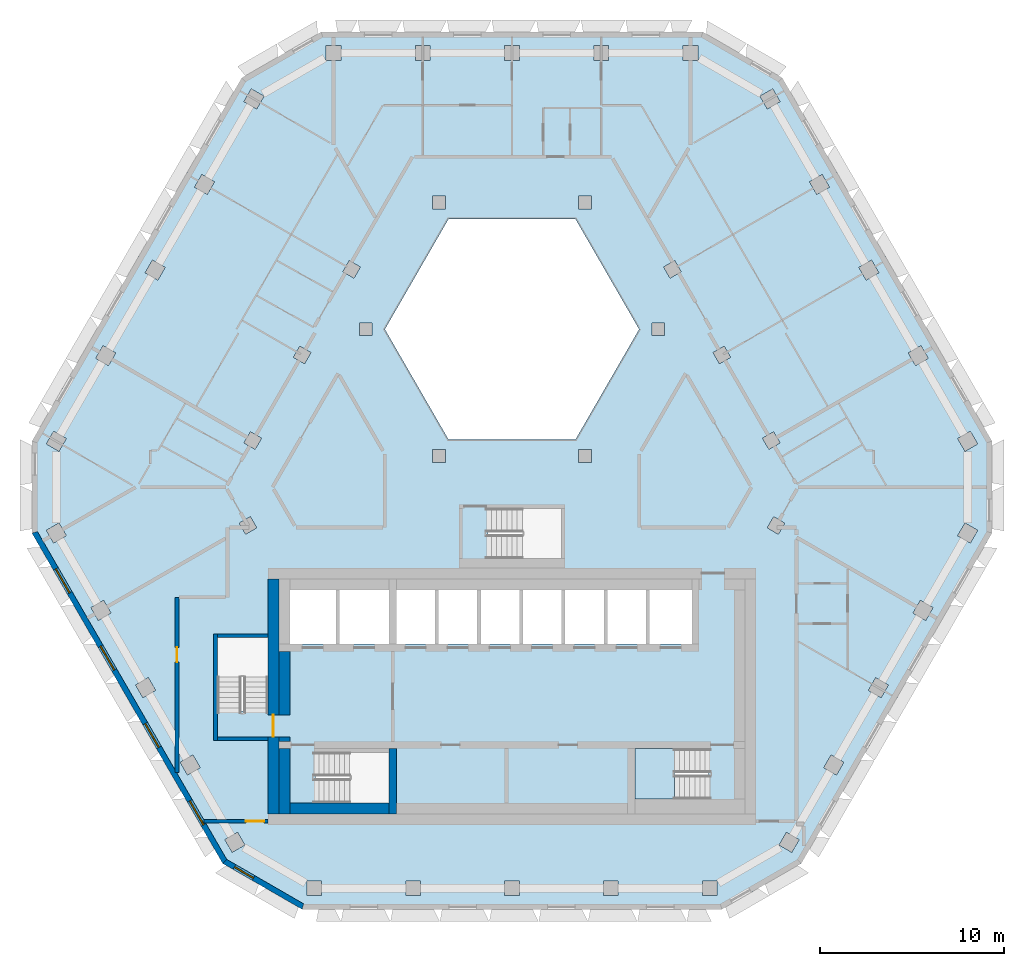
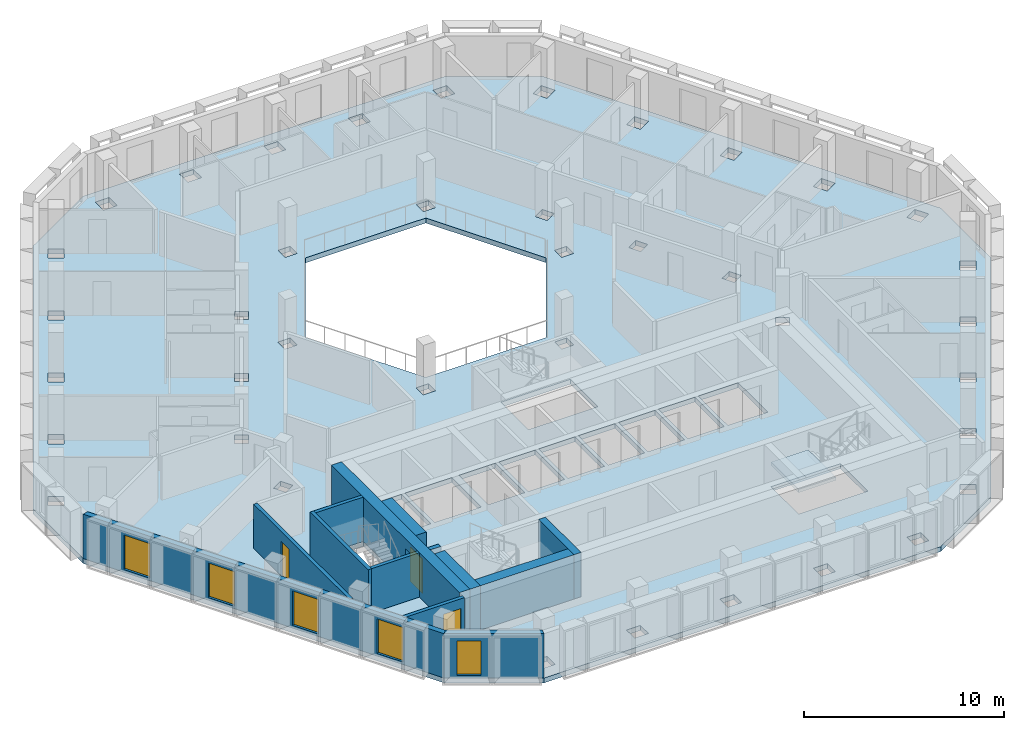
# One storey, part 2 of 14: 13 walls, 5 windows, 3 doors, 2 slabs, 8 openings, 1 element without a shape of its own.
"""IFC4 building model written with IfcOpenShell, lengths in metres."""

from ifc_helpers import new_model, si_unit, direction, frame, frame_2d, origin, place, context, subcontext, project, spatial, polyline, rectangle, outline, extrude, material, layer, layer_set, type_object, element, fill, aggregate, save


model = new_model("IFC4")

# Units and contexts
model_context = context("Model", 3, precision=1e-05, world=origin(), true_north=direction((0.0, 1.0)))
body_context = subcontext(model_context, "Body", "Model", "MODEL_VIEW")
ifc_project = project(units=[si_unit("LENGTHUNIT", "METRE"), si_unit("AREAUNIT", "SQUARE_METRE"), si_unit("VOLUMEUNIT", "CUBIC_METRE"), si_unit("PLANEANGLEUNIT", "RADIAN"), si_unit("MASSUNIT", "GRAM", prefix="KILO")], contexts=[model_context])

# Site, building, storey
site_placement = place(None, origin())
site = spatial("IfcSite", under=ifc_project, at=site_placement, CompositionType="ELEMENT")
building_placement = place(site_placement, origin())
building = spatial("IfcBuilding", under=site, at=building_placement, Name="Beryl Residences", CompositionType="ELEMENT")
storey_placement = place(building_placement, frame((0.0, 0.0, 181.199951171875)))
storey = spatial("IfcBuildingStorey", under=building, at=storey_placement, Name="L55", CompositionType="ELEMENT", Elevation=181.199951171875)

# Slab
ifc_material_1 = material(Name="Concrete C40/50", Category="concrete")
ifc_layer_1 = layer(ifc_material_1, 0.300048828125)
ifc_layer_set_1 = layer_set([ifc_layer_1], Name="SL7 PT floor slab 300 mm C40/50")
slab_type_1 = type_object("IfcSlabType", Name="SL7 PT floor slab 300 mm C40/50", PredefinedType="FLOOR", material=ifc_layer_set_1)
slab_1_placement = place(storey_placement, frame((0.0, 0.0, -0.300048828125)))
element("IfcSlab", 1, at=slab_1_placement, inside=storey, type_object=slab_type_1, Name="L55 slab 1", PredefinedType="FLOOR", context=body_context, shape_type="SweptSolid", body=[
    extrude(outline(polyline([(26.154052734375, -3.10009765625), (15.760986328125, -21.10009765625), (11.430908203125, -23.60009765625), (-11.430908203125, -23.60009765625), (-15.760986328125, -21.10009765625), (-26.154052734375, -3.10009765625), (-26.154052734375, 1.89990234375), (-14.721923828125, 21.699951171875), (-10.39208984375, 24.199951171875), (10.39208984375, 24.199951171875), (14.721923828125, 21.699951171875), (26.154052734375, 1.89990234375), (26.154052734375, -3.10009765625)]), holes=[polyline([(24.971923828125, 2.446044921875), (24.280029296875, 2.0458984375), (24.679931640625, 1.35400390625), (25.3720703125, 1.75390625), (24.971923828125, 2.446044921875)]), polyline([(24.678955078125, -2.554931640625), (24.279052734375, -3.2470703125), (24.970947265625, -3.64697265625), (25.37109375, -2.955078125), (24.678955078125, -2.554931640625)]), polyline([(22.2470703125, -6.76806640625), (21.846923828125, -7.4599609375), (22.5390625, -7.860107421875), (22.93896484375, -7.16796875), (22.2470703125, -6.76806640625)]), polyline([(22.280029296875, 7.10791015625), (21.587890625, 6.7080078125), (21.988037109375, 6.01611328125), (22.679931640625, 6.416015625), (22.280029296875, 7.10791015625)]), polyline([(19.4150390625, -11.672119140625), (20.10693359375, -12.072021484375), (20.507080078125, -11.3798828125), (19.81494140625, -10.97998046875), (19.4150390625, -11.672119140625)]), polyline([(18.89599609375, 11.37109375), (19.2958984375, 10.678955078125), (19.988037109375, 11.0791015625), (19.587890625, 11.77099609375), (18.89599609375, 11.37109375)]), polyline([(18.074951171875, -15.592041015625), (17.383056640625, -15.19189453125), (16.98291015625, -15.884033203125), (17.675048828125, -16.283935546875), (18.074951171875, -15.592041015625)]), polyline([(16.89599609375, 16.43408203125), (16.2041015625, 16.033935546875), (16.60400390625, 15.342041015625), (17.2958984375, 15.741943359375), (16.89599609375, 16.43408203125)]), polyline([(15.64306640625, -19.804931640625), (14.950927734375, -19.405029296875), (14.551025390625, -20.096923828125), (15.242919921875, -20.4970703125), (15.64306640625, -19.804931640625)]), polyline([(14.860107421875, -2.56103515625), (14.25390625, -2.2109375), (13.904052734375, -2.81689453125), (14.510009765625, -3.1669921875), (14.860107421875, -2.56103515625)]), polyline([(14.2041015625, 21.095947265625), (13.511962890625, 20.696044921875), (13.912109375, 20.00390625), (14.60400390625, 20.404052734375), (14.2041015625, 21.095947265625)]), polyline([(13.64501953125, 2.06494140625), (13.9951171875, 1.458984375), (14.60107421875, 1.80908203125), (14.2509765625, 2.4150390625), (13.64501953125, 2.06494140625)]), polyline([(11.55908203125, 7.077880859375), (10.952880859375, 6.72802734375), (11.302978515625, 6.1220703125), (11.908935546875, 6.471923828125), (11.55908203125, 7.077880859375)]), polyline([(11.1689453125, -22.050048828125), (10.368896484375, -22.050048828125), (10.368896484375, -22.85009765625), (11.1689453125, -22.85009765625), (11.1689453125, -22.050048828125)]), polyline([(6.699951171875, -14.85009765625), (6.699951171875, -17.60009765625), (10.699951171875, -17.60009765625), (10.699951171875, -14.85009765625), (6.699951171875, -14.85009765625)]), polyline([(9.327880859375, 23.449951171875), (9.327880859375, 22.64990234375), (10.1279296875, 22.64990234375), (10.1279296875, 23.449951171875), (9.327880859375, 23.449951171875)]), polyline([(7.5, -9.14990234375), (9.800048828125, -9.14990234375), (9.800048828125, -6.199951171875), (7.5, -6.199951171875), (7.5, -9.14990234375)]), polyline([(8.260986328125, 11.39111328125), (8.611083984375, 10.784912109375), (9.217041015625, 11.135009765625), (8.866943359375, 11.740966796875), (8.260986328125, 11.39111328125)]), polyline([(8.31689453125, 7.64990234375), (8.31689453125, 8.35009765625), (7.616943359375, 8.35009765625), (7.616943359375, 7.64990234375), (8.31689453125, 7.64990234375)]), polyline([(5.199951171875, -9.14990234375), (7.300048828125, -9.14990234375), (7.300048828125, -6.199951171875), (5.199951171875, -6.199951171875), (5.199951171875, -9.14990234375)]), polyline([(3.464111328125, 14.0), (-3.464111328125, 14.0), (-6.92822265625, 8.0), (-3.464111328125, 2.0), (3.464111328125, 2.0), (6.92822265625, 8.0), (3.464111328125, 14.0)]), polyline([(5.784912109375, -22.85009765625), (5.784912109375, -22.050048828125), (4.985107421875, -22.050048828125), (4.985107421875, -22.85009765625), (5.784912109375, -22.85009765625)]), polyline([(4.464111328125, 23.449951171875), (4.464111328125, 22.64990234375), (5.263916015625, 22.64990234375), (5.263916015625, 23.449951171875), (4.464111328125, 23.449951171875)]), polyline([(5.0, -9.14990234375), (5.0, -6.199951171875), (2.89990234375, -6.199951171875), (2.89990234375, -9.14990234375), (5.0, -9.14990234375)]), polyline([(4.333984375, 14.550048828125), (4.333984375, 15.25), (3.634033203125, 15.25), (3.634033203125, 14.550048828125), (4.333984375, 14.550048828125)]), polyline([(4.333984375, 1.449951171875), (3.634033203125, 1.449951171875), (3.634033203125, 0.75), (4.333984375, 0.75), (4.333984375, 1.449951171875)]), polyline([(2.699951171875, -4.5), (2.699951171875, -1.75), (-1.300048828125, -1.75), (-1.300048828125, -4.5), (2.699951171875, -4.5)]), polyline([(0.60009765625, -9.14990234375), (2.699951171875, -9.14990234375), (2.699951171875, -6.199951171875), (0.60009765625, -6.199951171875), (0.60009765625, -9.14990234375)]), polyline([(-0.39892578125, -22.050048828125), (-0.39892578125, -22.85009765625), (0.40087890625, -22.85009765625), (0.40087890625, -22.050048828125), (-0.39892578125, -22.050048828125)]), polyline([(0.39990234375, 22.64990234375), (0.39990234375, 23.449951171875), (-0.39990234375, 23.449951171875), (-0.39990234375, 22.64990234375), (0.39990234375, 22.64990234375)]), polyline([(0.39990234375, -6.199951171875), (-1.699951171875, -6.199951171875), (-1.699951171875, -9.14990234375), (0.39990234375, -9.14990234375), (0.39990234375, -6.199951171875)]), polyline([(-4.0, -9.14990234375), (-1.89990234375, -9.14990234375), (-1.89990234375, -6.199951171875), (-4.0, -6.199951171875), (-4.0, -9.14990234375)]), polyline([(-3.634033203125, 15.25), (-4.333984375, 15.25), (-4.333984375, 14.550048828125), (-3.634033203125, 14.550048828125), (-3.634033203125, 15.25)]), polyline([(-3.634033203125, 0.75), (-3.634033203125, 1.449951171875), (-4.333984375, 1.449951171875), (-4.333984375, 0.75), (-3.634033203125, 0.75)]), polyline([(-6.300048828125, -9.14990234375), (-4.199951171875, -9.14990234375), (-4.199951171875, -6.199951171875), (-6.300048828125, -6.199951171875), (-6.300048828125, -9.14990234375)]), polyline([(-5.263916015625, 23.449951171875), (-5.263916015625, 22.64990234375), (-4.464111328125, 22.64990234375), (-4.464111328125, 23.449951171875), (-5.263916015625, 23.449951171875)]), polyline([(-4.98291015625, -22.85009765625), (-4.98291015625, -22.050048828125), (-5.782958984375, -22.050048828125), (-5.782958984375, -22.85009765625), (-4.98291015625, -22.85009765625)]), polyline([(-6.699951171875, -6.199951171875), (-9.39990234375, -6.199951171875), (-9.39990234375, -9.14990234375), (-6.699951171875, -9.14990234375), (-6.699951171875, -6.199951171875)]), polyline([(-10.699951171875, -15.050048828125), (-10.699951171875, -17.800048828125), (-6.699951171875, -17.800048828125), (-6.699951171875, -15.050048828125), (-10.699951171875, -15.050048828125)]), polyline([(-7.616943359375, 7.64990234375), (-7.616943359375, 8.35009765625), (-8.31689453125, 8.35009765625), (-8.31689453125, 7.64990234375), (-7.616943359375, 7.64990234375)]), polyline([(-8.611083984375, 10.784912109375), (-8.260986328125, 11.39111328125), (-8.866943359375, 11.740966796875), (-9.217041015625, 11.135009765625), (-8.611083984375, 10.784912109375)]), polyline([(-10.1279296875, 23.449951171875), (-10.1279296875, 22.64990234375), (-9.327880859375, 22.64990234375), (-9.327880859375, 23.449951171875), (-10.1279296875, 23.449951171875)]), polyline([(-12.10009765625, -9.14990234375), (-9.60009765625, -9.14990234375), (-9.60009765625, -6.199951171875), (-12.10009765625, -6.199951171875), (-12.10009765625, -9.14990234375)]), polyline([(-11.1669921875, -22.050048828125), (-11.1669921875, -22.85009765625), (-10.366943359375, -22.85009765625), (-10.366943359375, -22.050048828125), (-11.1669921875, -22.050048828125)]), polyline([(-11.908935546875, 6.471923828125), (-11.302978515625, 6.1220703125), (-10.952880859375, 6.72802734375), (-11.55908203125, 7.077880859375), (-11.908935546875, 6.471923828125)]), polyline([(-13.300048828125, -8.800048828125), (-16.050048828125, -8.800048828125), (-16.050048828125, -12.800048828125), (-13.300048828125, -12.800048828125), (-13.300048828125, -8.800048828125)]), polyline([(-13.912109375, 20.00390625), (-13.511962890625, 20.696044921875), (-14.2041015625, 21.095947265625), (-14.60400390625, 20.404052734375), (-13.912109375, 20.00390625)]), polyline([(-13.9951171875, 1.458984375), (-13.64501953125, 2.06494140625), (-14.2509765625, 2.4150390625), (-14.60107421875, 1.80908203125), (-13.9951171875, 1.458984375)]), polyline([(-14.510986328125, -3.1650390625), (-13.905029296875, -2.81494140625), (-14.2548828125, -2.208984375), (-14.861083984375, -2.55908203125), (-14.510986328125, -3.1650390625)]), polyline([(-14.552001953125, -20.094970703125), (-14.951904296875, -19.403076171875), (-15.64404296875, -19.802978515625), (-15.243896484375, -20.4951171875), (-14.552001953125, -20.094970703125)]), polyline([(-16.60400390625, 15.342041015625), (-16.2041015625, 16.033935546875), (-16.89599609375, 16.43408203125), (-17.2958984375, 15.741943359375), (-16.60400390625, 15.342041015625)]), polyline([(-16.98388671875, -15.882080078125), (-17.384033203125, -15.18994140625), (-18.075927734375, -15.590087890625), (-17.676025390625, -16.281982421875), (-16.98388671875, -15.882080078125)]), polyline([(-18.89599609375, 11.37109375), (-19.587890625, 11.77099609375), (-19.988037109375, 11.0791015625), (-19.2958984375, 10.678955078125), (-18.89599609375, 11.37109375)]), polyline([(-20.10791015625, -12.070068359375), (-19.416015625, -11.669921875), (-19.81591796875, -10.97802734375), (-20.508056640625, -11.3779296875), (-20.10791015625, -12.070068359375)]), polyline([(-22.679931640625, 6.416015625), (-21.988037109375, 6.01611328125), (-21.587890625, 6.7080078125), (-22.280029296875, 7.10791015625), (-22.679931640625, 6.416015625)]), polyline([(-21.847900390625, -7.4580078125), (-22.248046875, -6.76611328125), (-22.93994140625, -7.166015625), (-22.5400390625, -7.85791015625), (-21.847900390625, -7.4580078125)]), polyline([(-25.3720703125, 1.75390625), (-24.679931640625, 1.35400390625), (-24.280029296875, 2.0458984375), (-24.971923828125, 2.446044921875), (-25.3720703125, 1.75390625)]), polyline([(-24.280029296875, -3.2451171875), (-24.679931640625, -2.552978515625), (-25.3720703125, -2.952880859375), (-24.971923828125, -3.64501953125), (-24.280029296875, -3.2451171875)])]), origin(), (0.0, 0.0, 1.0), 0.300048828125),
])

# Stair, slab
ifc_material_2 = material(Name="Concrete C40/50", Category="concrete")
stair_type = type_object("IfcStairType", Name="ST1 protected exit stair, half-turn, 1300 mm flights", PredefinedType="HALF_TURN_STAIR", material=ifc_material_2)
stair_placement = place(storey_placement, origin())
stair = element("IfcStair", 2, at=stair_placement, inside=storey, type_object=stair_type, Name="L55 PROTECTED EXIT STAIR ST-3", PredefinedType="HALF_TURN_STAIR")
ifc_material_3 = material(Name="Concrete C40/50", Category="concrete")
ifc_layer_2 = layer(ifc_material_3, 0.199951171875)
ifc_layer_set_2 = layer_set([ifc_layer_2], Name="SLD1 stair landing 200 mm")
slab_type_2 = type_object("IfcSlabType", Name="SLD1 stair landing 200 mm", PredefinedType="LANDING", material=ifc_layer_set_2)
slab_2_placement = place(storey_placement, frame((0.0, 0.0, 1.300048828125)))
slab_2 = element("IfcSlab", 3, at=slab_2_placement, type_object=slab_type_2, Name="ST-3 landing 1", PredefinedType="LANDING", context=body_context, shape_type="SweptSolid", body=[
    extrude(outline(polyline([(8.840087890625, -14.85009765625), (6.699951171875, -14.85009765625), (6.699951171875, -17.60009765625), (8.840087890625, -17.60009765625), (8.840087890625, -14.85009765625)])), origin(), (0.0, 0.0, 1.0), 0.199951171875),
])
aggregate(stair, [slab_2])

# Wall, openings, windows
ifc_material_4 = material(Name="Composite metal panel with mineral wool insulation")
ifc_layer_3 = layer(ifc_material_4, 0.300048828125)
ifc_layer_set_3 = layer_set([ifc_layer_3], Name="ES1 pale metal composite panel wall 300 mm")
wall_type_1 = type_object("IfcWallType", Name="ES1 pale metal composite panel wall 300 mm", PredefinedType="SOLIDWALL", material=ifc_layer_set_3)
wall_1_placement = place(storey_placement, frame((-26.02392578125, -3.02490234375, 0.0), z_axis=(0.0, 0.0, 1.0), x_axis=(0.500018670445, -0.86601462413, 0.0)))
wall_1 = element("IfcWall", 4, at=wall_1_placement, inside=storey, type_object=wall_type_1, Name="ES1 external wall L55 SW", PredefinedType="SOLIDWALL", context=body_context, shape_type="SweptSolid", body=[
    extrude(outline(polyline([(0.0, -0.14990234375), (20.784912109375, -0.14990234375), (20.70458984375, 0.14990234375), (0.080322265625, 0.14990234375), (0.0, -0.14990234375)])), origin(), (0.0, 0.0, 1.0), 2.699951171875),
])
opening_1_placement = place(wall_1_placement, frame((2.345947265625, 0.0, 0.14990234375)))
opening_1 = element("IfcOpeningElement", 5, at=opening_1_placement, cuts=wall_1, Name="Opening W1", PredefinedType="OPENING", context=body_context, shape_type="SweptSolid", body=[
    extrude(rectangle(XDim=1.5, YDim=2.10009765625, at=frame_2d((0.75, 1.050048828125))), frame((0.0, 0.159912109375, 0.0), z_axis=(0.0, -1.0, 0.0), x_axis=(1.0, 0.0, 0.0)), (0.0, 0.0, 1.0), 0.320068359375),
])
opening_2_placement = place(wall_1_placement, frame((7.2099609375, 0.0, 0.14990234375)))
opening_2 = element("IfcOpeningElement", 6, at=opening_2_placement, cuts=wall_1, Name="Opening W1", PredefinedType="OPENING", context=body_context, shape_type="SweptSolid", body=[
    extrude(rectangle(XDim=1.5, YDim=2.10009765625, at=frame_2d((0.75, 1.050048828125))), frame((0.0, 0.159912109375, 0.0), z_axis=(0.0, -1.0, 0.0), x_axis=(1.0, 0.0, 0.0)), (0.0, 0.0, 1.0), 0.320068359375),
])
opening_3_placement = place(wall_1_placement, frame((12.072998046875, 0.0, 0.14990234375)))
opening_3 = element("IfcOpeningElement", 7, at=opening_3_placement, cuts=wall_1, Name="Opening W1", PredefinedType="OPENING", context=body_context, shape_type="SweptSolid", body=[
    extrude(rectangle(XDim=1.5, YDim=2.10009765625, at=frame_2d((0.75, 1.050048828125))), frame((0.0, 0.159912109375, 0.0), z_axis=(0.0, -1.0, 0.0), x_axis=(1.0, 0.0, 0.0)), (0.0, 0.0, 1.0), 0.320068359375),
])
opening_4_placement = place(wall_1_placement, frame((16.93798828125, 0.0, 0.14990234375)))
opening_4 = element("IfcOpeningElement", 8, at=opening_4_placement, cuts=wall_1, Name="Opening W1", PredefinedType="OPENING", context=body_context, shape_type="SweptSolid", body=[
    extrude(rectangle(XDim=1.5, YDim=2.10009765625, at=frame_2d((0.75, 1.050048828125))), frame((0.0, 0.159912109375, 0.0), z_axis=(0.0, -1.0, 0.0), x_axis=(1.0, 0.0, 0.0)), (0.0, 0.0, 1.0), 0.320068359375),
])
ifc_material_5 = material(Name="Aluminium and clear glass", Category="aluminium")
window_type_1 = type_object("IfcWindowType", Name="W1 cell window 1500 x 2100 mm", PartitioningType="SINGLE_PANEL", PredefinedType="WINDOW", material=ifc_material_5)
window_1_placement = place(opening_1_placement, origin())
window_1 = element("IfcWindow", 9, at=window_1_placement, inside=storey, type_object=window_type_1, Name="W1 window L55 SW 2", OverallHeight=2.10009765625, OverallWidth=1.5, PartitioningType="SINGLE_PANEL", PredefinedType="WINDOW", context=body_context, shape_type="SweptSolid", body=[
    extrude(rectangle(XDim=1.5, YDim=2.10009765625, at=frame_2d((0.75, 1.050048828125))), frame((0.0, 0.030029296875, 0.0), z_axis=(0.0, -1.0, 0.0), x_axis=(1.0, 0.0, 0.0)), (0.0, 0.0, 1.0), 0.06005859375),
])
fill(opening_1, window_1)
window_2_placement = place(opening_2_placement, origin())
window_2 = element("IfcWindow", 10, at=window_2_placement, inside=storey, type_object=window_type_1, Name="W1 window L55 SW 4", OverallHeight=2.10009765625, OverallWidth=1.5, PartitioningType="SINGLE_PANEL", PredefinedType="WINDOW", context=body_context, shape_type="SweptSolid", body=[
    extrude(rectangle(XDim=1.5, YDim=2.10009765625, at=frame_2d((0.75, 1.050048828125))), frame((0.0, 0.030029296875, 0.0), z_axis=(0.0, -1.0, 0.0), x_axis=(1.0, 0.0, 0.0)), (0.0, 0.0, 1.0), 0.06005859375),
])
fill(opening_2, window_2)
window_3_placement = place(opening_3_placement, origin())
window_3 = element("IfcWindow", 11, at=window_3_placement, inside=storey, type_object=window_type_1, Name="W1 window L55 SW 6", OverallHeight=2.10009765625, OverallWidth=1.5, PartitioningType="SINGLE_PANEL", PredefinedType="WINDOW", context=body_context, shape_type="SweptSolid", body=[
    extrude(rectangle(XDim=1.5, YDim=2.10009765625, at=frame_2d((0.75, 1.050048828125))), frame((0.0, 0.030029296875, 0.0), z_axis=(0.0, -1.0, 0.0), x_axis=(1.0, 0.0, 0.0)), (0.0, 0.0, 1.0), 0.06005859375),
])
fill(opening_3, window_3)
window_4_placement = place(opening_4_placement, origin())
window_4 = element("IfcWindow", 12, at=window_4_placement, inside=storey, type_object=window_type_1, Name="W1 window L55 SW 8", OverallHeight=2.10009765625, OverallWidth=1.5, PartitioningType="SINGLE_PANEL", PredefinedType="WINDOW", context=body_context, shape_type="SweptSolid", body=[
    extrude(rectangle(XDim=1.5, YDim=2.10009765625, at=frame_2d((0.75, 1.050048828125))), frame((0.0, 0.030029296875, 0.0), z_axis=(0.0, -1.0, 0.0), x_axis=(1.0, 0.0, 0.0)), (0.0, 0.0, 1.0), 0.06005859375),
])
fill(opening_4, window_4)

# Wall, opening, window
wall_2_placement = place(storey_placement, frame((-15.68603515625, -20.969970703125, 0.0), z_axis=(0.0, 0.0, 1.0), x_axis=(0.866022959057, -0.500004234368, 0.0)))
wall_2 = element("IfcWall", 13, at=wall_2_placement, inside=storey, type_object=wall_type_1, Name="ES1 external wall L55 SW-S", PredefinedType="SOLIDWALL", context=body_context, shape_type="SweptSolid", body=[
    extrude(outline(polyline([(0.0, -0.14990234375), (5.0, -0.14990234375), (4.919677734375, 0.14990234375), (0.080322265625, 0.14990234375), (0.0, -0.14990234375)])), origin(), (0.0, 0.0, 1.0), 2.699951171875),
])
opening_5_placement = place(wall_2_placement, frame((0.64990234375, 0.0, 0.14990234375)))
opening_5 = element("IfcOpeningElement", 14, at=opening_5_placement, cuts=wall_2, Name="Opening W2", PredefinedType="OPENING", context=body_context, shape_type="SweptSolid", body=[
    extrude(rectangle(XDim=1.199951171875, YDim=2.10009765625, at=frame_2d((0.60009765625, 1.050048828125))), frame((0.0, 0.159912109375, 0.0), z_axis=(0.0, -1.0, 0.0), x_axis=(1.0, 0.0, 0.0)), (0.0, 0.0, 1.0), 0.320068359375),
])
ifc_material_6 = material(Name="Aluminium and clear glass", Category="aluminium")
window_type_2 = type_object("IfcWindowType", Name="W2 chamfer window 1200 x 2100 mm", PartitioningType="SINGLE_PANEL", PredefinedType="WINDOW", material=ifc_material_6)
window_5_placement = place(opening_5_placement, origin())
window_5 = element("IfcWindow", 15, at=window_5_placement, inside=storey, type_object=window_type_2, Name="W2 window L55 SW-S 1", OverallHeight=2.10009765625, OverallWidth=1.199951171875, PartitioningType="SINGLE_PANEL", PredefinedType="WINDOW", context=body_context, shape_type="SweptSolid", body=[
    extrude(rectangle(XDim=1.199951171875, YDim=2.10009765625, at=frame_2d((0.60009765625, 1.050048828125))), frame((0.0, 0.030029296875, 0.0), z_axis=(0.0, -1.0, 0.0), x_axis=(1.0, 0.0, 0.0)), (0.0, 0.0, 1.0), 0.06005859375),
])
fill(opening_5, window_5)

# Walls
ifc_material_7 = material(Name="Concrete masonry", Category="masonry")
ifc_layer_4 = layer(ifc_material_7, 0.25)
ifc_layer_set_4 = layer_set([ifc_layer_4], Name="PT13-250 lobby wall 250 mm")
wall_type_2 = type_object("IfcWallType", Name="PT13-250 lobby wall 250 mm", PredefinedType="PARTITIONING", material=ifc_layer_set_4)
wall_3_placement = place(storey_placement, frame((-12.699951171875, -14.324951171875, 0.0), z_axis=(0.0, 0.0, 1.0), x_axis=(1.0, 0.0, 0.0)))
element("IfcWall", 16, at=wall_3_placement, inside=storey, type_object=wall_type_2, Name="Lobby wall 05", PredefinedType="PARTITIONING", context=body_context, shape_type="SweptSolid", body=[
    extrude(rectangle(XDim=0.599853515625, YDim=0.25, at=frame_2d((0.2998046875, 0.0))), origin(), (0.0, 0.0, 1.0), 2.699951171875),
])
ifc_material_8 = material(Name="Concrete masonry", Category="masonry")
ifc_layer_5 = layer(ifc_material_8, 0.60009765625)
ifc_layer_set_5 = layer_set([ifc_layer_5], Name="PT13-600 lobby wall 600 mm")
wall_type_3 = type_object("IfcWallType", Name="PT13-600 lobby wall 600 mm", PredefinedType="PARTITIONING", material=ifc_layer_set_5)
wall_4_placement = place(storey_placement, frame((-12.39990234375, -13.0, 0.0), z_axis=(0.0, 0.0, 1.0), x_axis=(0.0, 1.0, 0.0)))
element("IfcWall", 17, at=wall_4_placement, inside=storey, type_object=wall_type_3, Name="Lobby wall 06", PredefinedType="PARTITIONING", context=body_context, shape_type="SweptSolid", body=[
    extrude(rectangle(XDim=3.449951171875, YDim=0.60009765625, at=frame_2d((1.72509765625, 0.0))), origin(), (0.0, 0.0, 1.0), 2.699951171875),
])

# Wall, opening, door
ifc_material_9 = material(Name="Double stud gypsum board wall")
ifc_layer_6 = layer(ifc_material_9, 0.199951171875)
ifc_layer_set_6 = layer_set([ifc_layer_6], Name="PT4 corridor wall 200 mm double stud")
wall_type_4 = type_object("IfcWallType", Name="PT4 corridor wall 200 mm double stud", PredefinedType="PARTITIONING", material=ifc_layer_set_6)
wall_5_placement = place(storey_placement, frame((-18.25, -16.152099609375, 0.0), z_axis=(0.0, 0.0, 1.0), x_axis=(0.0, 1.0, 0.0)))
wall_5 = element("IfcWall", 18, at=wall_5_placement, inside=storey, type_object=wall_type_4, Name="Wall PT4 L55 025", PredefinedType="PARTITIONING", context=body_context, shape_type="SweptSolid", body=[
    extrude(rectangle(XDim=9.551025390625, YDim=0.199951171875, at=frame_2d((4.775390625, 0.0))), origin(), (0.0, 0.0, 1.0), 2.699951171875),
])
opening_6_placement = place(wall_5_placement, frame((6.02587890625, 0.0, 0.0)))
opening_6 = element("IfcOpeningElement", 19, at=opening_6_placement, cuts=wall_5, Name="Opening D1731", PredefinedType="OPENING", context=body_context, shape_type="SweptSolid", body=[
    extrude(rectangle(XDim=0.800048828125, YDim=2.10009765625, at=frame_2d((0.39990234375, 1.050048828125))), frame((0.0, 0.10986328125, 0.0), z_axis=(0.0, -1.0, 0.0), x_axis=(1.0, 0.0, 0.0)), (0.0, 0.0, 1.0), 0.219970703125),
])
ifc_material_10 = material(Name="Timber door leaf", Category="wood")
door_type_1 = type_object("IfcDoorType", Name="D3 bathroom door 800 x 2100 mm", OperationType="SINGLE_SWING_LEFT", PredefinedType="DOOR", material=ifc_material_10)
door_1_placement = place(opening_6_placement, origin())
door_1 = element("IfcDoor", 20, at=door_1_placement, inside=storey, type_object=door_type_1, Name="Door D1731 L55 001", OperationType="SINGLE_SWING_LEFT", OverallHeight=2.10009765625, OverallWidth=0.800048828125, PredefinedType="DOOR", context=body_context, shape_type="SweptSolid", body=[
    extrude(rectangle(XDim=0.800048828125, YDim=2.10009765625, at=frame_2d((0.39990234375, 1.050048828125))), frame((0.0, 0.02490234375, 0.0), z_axis=(0.0, -1.0, 0.0), x_axis=(1.0, 0.0, 0.0)), (0.0, 0.0, 1.0), 0.050048828125),
])
fill(opening_6, door_1)

wall_6_placement = place(storey_placement, frame((-16.7919921875, -18.800048828125, 0.0), z_axis=(0.0, 0.0, 1.0), x_axis=(1.0, 0.0, 0.0)))
wall_6 = element("IfcWall", 21, at=wall_6_placement, inside=storey, type_object=wall_type_4, Name="Wall PT4 L55 026", PredefinedType="PARTITIONING", context=body_context, shape_type="SweptSolid", body=[
    extrude(rectangle(XDim=3.491943359375, YDim=0.199951171875, at=frame_2d((1.74609375, 0.0))), origin(), (0.0, 0.0, 1.0), 2.699951171875),
])
opening_7_placement = place(wall_6_placement, frame((2.2919921875, 0.0, 0.0)))
opening_7 = element("IfcOpeningElement", 22, at=opening_7_placement, cuts=wall_6, Name="Opening D1745", PredefinedType="OPENING", context=body_context, shape_type="SweptSolid", body=[
    extrude(rectangle(XDim=1.0, YDim=2.10009765625, at=frame_2d((0.5, 1.050048828125))), frame((0.0, 0.10986328125, 0.0), z_axis=(0.0, -1.0, 0.0), x_axis=(1.0, 0.0, 0.0)), (0.0, 0.0, 1.0), 0.219970703125),
])
ifc_material_11 = material(Name="Timber door leaf", Category="wood")
door_type_2 = type_object("IfcDoorType", Name="D1 flat entrance door 1000 x 2100 mm", OperationType="SINGLE_SWING_LEFT", PredefinedType="DOOR", material=ifc_material_11)
door_2_placement = place(opening_7_placement, origin())
door_2 = element("IfcDoor", 23, at=door_2_placement, inside=storey, type_object=door_type_2, Name="Door D1745 L55 001", OperationType="SINGLE_SWING_RIGHT", OverallHeight=2.10009765625, OverallWidth=1.0, PredefinedType="DOOR", context=body_context, shape_type="SweptSolid", body=[
    extrude(rectangle(XDim=1.0, YDim=2.10009765625, at=frame_2d((0.5, 1.050048828125))), frame((0.0, 0.02490234375, 0.0), z_axis=(0.0, -1.0, 0.0), x_axis=(1.0, 0.0, 0.0)), (0.0, 0.0, 1.0), 0.050048828125),
])
fill(opening_7, door_2)

# Walls
ifc_material_12 = material(Name="Concrete C40/50", Category="concrete")
ifc_layer_7 = layer(ifc_material_12, 0.199951171875)
ifc_layer_set_7 = layer_set([ifc_layer_7], Name="PT5 stair enclosure wall 200 mm reinforced concrete C40/50")
wall_type_5 = type_object("IfcWallType", Name="PT5 stair enclosure wall 200 mm reinforced concrete C40/50", PredefinedType="SOLIDWALL", material=ifc_layer_set_7)
wall_7_placement = place(storey_placement, frame((-16.14990234375, -14.39990234375, 0.0), z_axis=(0.0, 0.0, 1.0), x_axis=(0.0, 1.0, 0.0)))
element("IfcWall", 24, at=wall_7_placement, inside=storey, type_object=wall_type_5, Name="Stair wall 01", PredefinedType="SOLIDWALL", context=body_context, shape_type="SweptSolid", body=[
    extrude(rectangle(XDim=5.7998046875, YDim=0.199951171875, at=frame_2d((2.89990234375, 0.0))), origin(), (0.0, 0.0, 1.0), 2.699951171875),
])
for number, where, z_axis, x_axis, name in (
    (25, (-16.050048828125, -14.300048828125, 0.0), (0.0, 0.0, 1.0), (1.0, 0.0, 0.0), "Stair wall 02"),
    (26, (-16.050048828125, -8.699951171875, 0.0), (0.0, 0.0, 1.0), (1.0, 0.0, 0.0), "Stair wall 03"),
):
    element("IfcWall", number, at=place(storey_placement, frame(where, z_axis=z_axis, x_axis=x_axis)), inside=storey, type_object=wall_type_5, Name=name, PredefinedType="SOLIDWALL", context=body_context, shape_type="SweptSolid", body=[
        extrude(rectangle(XDim=2.75, YDim=0.199951171875, at=frame_2d((1.375, 0.0))), origin(), (0.0, 0.0, 1.0), 2.699951171875),
    ])
ifc_material_13 = material(Name="Concrete C40/50", Category="concrete")
ifc_layer_8 = layer(ifc_material_13, 0.60009765625)
ifc_layer_set_8 = layer_set([ifc_layer_8], Name="PT5-600 stair enclosure wall 600 mm")
wall_type_6 = type_object("IfcWallType", Name="PT5-600 stair enclosure wall 600 mm", PredefinedType="SOLIDWALL", material=ifc_layer_set_8)
wall_8_placement = place(storey_placement, frame((-12.39990234375, -18.39990234375, 0.0), z_axis=(0.0, 0.0, 1.0), x_axis=(0.0, 1.0, 0.0)))
element("IfcWall", 27, at=wall_8_placement, inside=storey, type_object=wall_type_6, Name="Stair wall 04", PredefinedType="SOLIDWALL", context=body_context, shape_type="SweptSolid", body=[
    extrude(rectangle(XDim=3.5498046875, YDim=0.60009765625, at=frame_2d((1.77490234375, 0.0))), origin(), (0.0, 0.0, 1.0), 2.699951171875),
])
wall_9_placement = place(storey_placement, frame((-12.10009765625, -18.10009765625, 0.0), z_axis=(0.0, 0.0, 1.0), x_axis=(1.0, 0.0, 0.0)))
element("IfcWall", 28, at=wall_9_placement, inside=storey, type_object=wall_type_6, Name="Stair wall 08", PredefinedType="SOLIDWALL", context=body_context, shape_type="SweptSolid", body=[
    extrude(rectangle(XDim=5.400146484375, YDim=0.60009765625, at=frame_2d((2.7001953125, 0.0))), origin(), (0.0, 0.0, 1.0), 2.699951171875),
])

# Wall, opening, door
ifc_material_14 = material(Name="Concrete C50/60", Category="concrete")
ifc_layer_9 = layer(ifc_material_14, 0.60009765625)
ifc_layer_set_9 = layer_set([ifc_layer_9], Name="SW4 core outer wall 600 mm C50/60")
wall_type_7 = type_object("IfcWallType", Name="SW4 core outer wall 600 mm C50/60", PredefinedType="SHEAR", material=ifc_layer_set_9)
wall_10_placement = place(storey_placement, frame((-13.0, -18.39990234375, 0.0), z_axis=(0.0, 0.0, 1.0), x_axis=(0.0, 1.0, 0.0)))
wall_10 = element("IfcWall", 29, at=wall_10_placement, inside=storey, type_object=wall_type_7, Name="Core wall W L55", PredefinedType="SHEAR", context=body_context, shape_type="SweptSolid", body=[
    extrude(rectangle(XDim=12.7998046875, YDim=0.60009765625, at=frame_2d((6.39990234375, 0.0))), origin(), (0.0, 0.0, 1.0), 2.699951171875),
])
opening_8_placement = place(wall_10_placement, frame((4.199951171875, 0.0, 0.0)))
opening_8 = element("IfcOpeningElement", 30, at=opening_8_placement, cuts=wall_10, Name="Opening SD-2", PredefinedType="OPENING", context=body_context, shape_type="SweptSolid", body=[
    extrude(rectangle(XDim=1.199951171875, YDim=2.10009765625, at=frame_2d((0.60009765625, 1.050048828125))), frame((0.0, 0.31005859375, 0.0), z_axis=(0.0, -1.0, 0.0), x_axis=(1.0, 0.0, 0.0)), (0.0, 0.0, 1.0), 0.6201171875),
])
ifc_material_15 = material(Name="Steel door leaf in steel frame", Category="steel")
door_type_3 = type_object("IfcDoorType", Name="D4 stair door 1200 x 2100 mm", OperationType="SINGLE_SWING_LEFT", PredefinedType="DOOR", material=ifc_material_15)
door_3_placement = place(opening_8_placement, origin())
door_3 = element("IfcDoor", 31, at=door_3_placement, inside=storey, type_object=door_type_3, Name="Door SD-2 L55 001", OperationType="SINGLE_SWING_RIGHT", OverallHeight=2.10009765625, OverallWidth=1.199951171875, PredefinedType="DOOR", context=body_context, shape_type="SweptSolid", body=[
    extrude(rectangle(XDim=1.199951171875, YDim=2.10009765625, at=frame_2d((0.60009765625, 1.050048828125))), frame((0.0, 0.02490234375, 0.0), z_axis=(0.0, -1.0, 0.0), x_axis=(1.0, 0.0, 0.0)), (0.0, 0.0, 1.0), 0.050048828125),
])
fill(opening_8, door_3)

# Wall
ifc_material_16 = material(Name="Concrete C50/60", Category="concrete")
ifc_layer_10 = layer(ifc_material_16, 0.39990234375)
ifc_layer_set_10 = layer_set([ifc_layer_10], Name="SW9 core internal wall 400 mm C50/60")
wall_type_8 = type_object("IfcWallType", Name="SW9 core internal wall 400 mm C50/60", PredefinedType="SHEAR", material=ifc_layer_set_10)
wall_11_placement = place(storey_placement, frame((-6.5, -18.39990234375, 0.0), z_axis=(0.0, 0.0, 1.0), x_axis=(0.0, 1.0, 0.0)))
element("IfcWall", 32, at=wall_11_placement, inside=storey, type_object=wall_type_8, Name="Core wall XS1 L55", PredefinedType="SHEAR", context=body_context, shape_type="SweptSolid", body=[
    extrude(rectangle(XDim=3.5498046875, YDim=0.39990234375, at=frame_2d((1.77490234375, 0.0))), origin(), (0.0, 0.0, 1.0), 2.699951171875),
])

save(model, "model.ifc")
